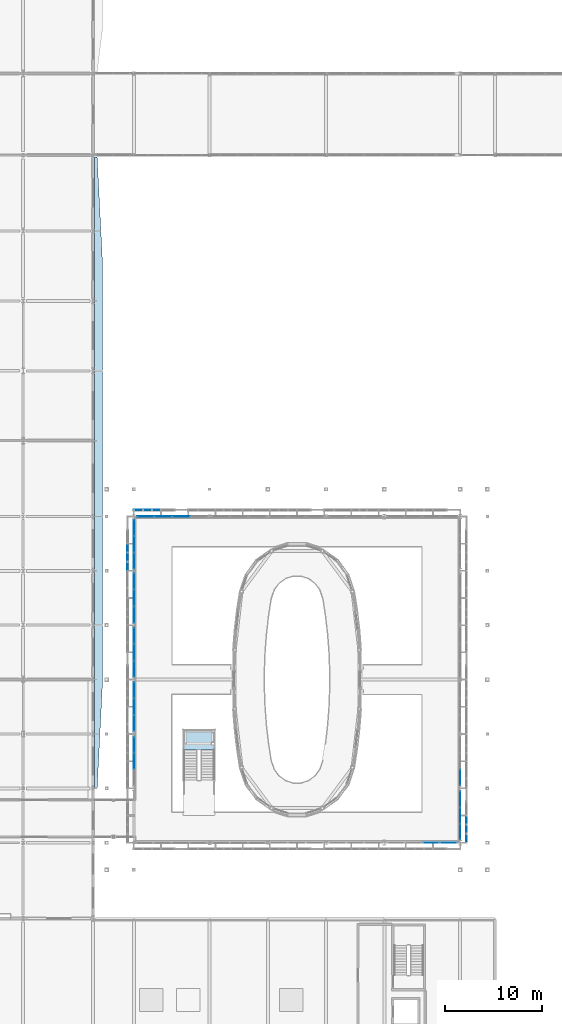
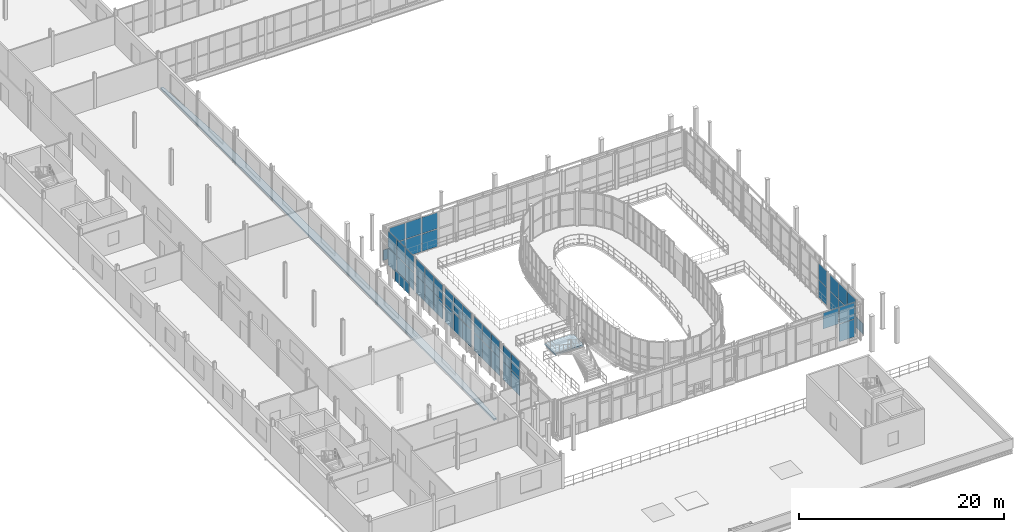
# One storey, part 97 of 138: 48 plates, 2 slabs, 10 elements without a shape of their own.
"""IFC4 building model written with IfcOpenShell, lengths in metres."""

from ifc_helpers import new_model, si_unit, direction, frame, origin, origin_2d, place, context, subcontext, project, spatial, polyline, rectangle, outline, extrude, material, layer, layer_set, type_object, element, aggregate, save


model = new_model("IFC4")

# Units and contexts
model_context = context("Model", 3, precision=1e-05, world=origin(), true_north=direction((0.0, 1.0)))
body_context = subcontext(model_context, "Body", "Model", "MODEL_VIEW")
ifc_project = project(units=[si_unit("LENGTHUNIT", "METRE"), si_unit("AREAUNIT", "SQUARE_METRE"), si_unit("VOLUMEUNIT", "CUBIC_METRE"), si_unit("PLANEANGLEUNIT", "RADIAN"), si_unit("MASSUNIT", "GRAM", prefix="KILO")], contexts=[model_context])

# Site, building, storey
site_placement = place(None, origin())
site = spatial("IfcSite", under=ifc_project, at=site_placement, CompositionType="ELEMENT")
building_placement = place(site_placement, origin())
building = spatial("IfcBuilding", under=site, at=building_placement, Name="Vinh Khe Railworks Police Headquarters", CompositionType="ELEMENT")
storey_placement = place(building_placement, frame((0.0, 0.0, 9.0)))
storey = spatial("IfcBuildingStorey", under=building, at=storey_placement, Name="L02", CompositionType="ELEMENT", Elevation=9.0)

# Slab
ifc_material_1 = material(Name="Concrete C35/45 (B35)", Category="concrete")
ifc_layer_1 = layer(ifc_material_1, 0.199951171875)
ifc_layer_set_1 = layer_set([ifc_layer_1], Name="Concrete C35/45 (B35)")
slab_type_1 = type_object("IfcSlabType", Name="Flat Structural Roof Slab 200", PredefinedType="ROOF", material=ifc_layer_set_1)
slab_1_placement = place(storey_placement, frame((0.0, 0.0, -0.239990234375)))
element("IfcSlab", 1, at=slab_1_placement, inside=storey, type_object=slab_type_1, Name="Monsoon Window Eyebrow Hood V5E (L02)", PredefinedType="ROOF", context=body_context, shape_type="SweptSolid", body=[
    extrude(outline(polyline([(22.340087890625, 30.800048828125), (22.62353515625, 30.800048828125), (23.14990234375, 41.199951171875), (23.14990234375, 85.39990234375), (22.62353515625, 95.800048828125), (22.340087890625, 95.800048828125), (22.340087890625, 30.800048828125)])), origin(), (0.0, 0.0, 1.0), 0.199951171875),
])

# Curtain wall, plates
ifc_material_2 = material(Name="Anodised aluminium and low-iron glass", Category="aluminium")
ifc_layer_2 = layer(ifc_material_2, 0.179931640625)
ifc_layer_set_2 = layer_set([ifc_layer_2], Name="Anodised aluminium and low-iron glass")
curtain_wall_type = type_object("IfcCurtainWallType", Name="CW-CUBE-UNIT", PredefinedType="USERDEFINED", material=ifc_layer_set_2)
curtain_wall_1_placement = place(storey_placement, origin())
curtain_wall_1 = element("IfcCurtainWall", 2, at=curtain_wall_1_placement, inside=storey, type_object=curtain_wall_type, Name="Entrance Hall Curtain Wall L02 S-5", ObjectType="UNITISED GLAZING", PredefinedType="USERDEFINED")
ifc_material_3 = material(Name="Low-iron laminated solar-control glass", Category="glass")
ifc_layer_3 = layer(ifc_material_3, 0.028076171875)
ifc_layer_set_3 = layer_set([ifc_layer_3], Name="Low-iron laminated solar-control glass")
plate_type_1 = type_object("IfcPlateType", Name="PAN-GLZ-28", PredefinedType="CURTAIN_PANEL", material=ifc_layer_set_3)
plate_1_placement = place(storey_placement, frame((57.0087890625, 25.199951171875, 2.21923828125), z_axis=(0.0, 0.0, 1.0), x_axis=(1.0, 0.0, 0.0)))
plate_1 = element("IfcPlate", 3, at=plate_1_placement, type_object=plate_type_1, Name="CW-01 panel 3.2", PredefinedType="CURTAIN_PANEL", context=body_context, shape_type="SweptSolid", body=[
    extrude(rectangle(XDim=1.74755859375, YDim=0.028076171875, at=origin_2d()), origin(), (0.0, 0.0, 1.0), 1.910888671875),
])
plate_2_placement = place(storey_placement, frame((58.808837890625, 25.199951171875, 0.070068359375), z_axis=(0.0, 0.0, 1.0), x_axis=(1.0, 0.0, 0.0)))
plate_2 = element("IfcPlate", 4, at=plate_2_placement, type_object=plate_type_1, Name="CW-01 panel 4.1", PredefinedType="CURTAIN_PANEL", context=body_context, shape_type="SweptSolid", body=[
    extrude(rectangle(XDim=1.71240234375, YDim=0.028076171875, at=origin_2d()), origin(), (0.0, 0.0, 1.0), 2.0791015625),
])
plate_3_placement = place(storey_placement, frame((58.808837890625, 25.199951171875, 2.21923828125), z_axis=(0.0, 0.0, 1.0), x_axis=(1.0, 0.0, 0.0)))
plate_3 = element("IfcPlate", 5, at=plate_3_placement, type_object=plate_type_1, Name="CW-01 panel 4.2", PredefinedType="CURTAIN_PANEL", context=body_context, shape_type="SweptSolid", body=[
    extrude(rectangle(XDim=1.71240234375, YDim=0.028076171875, at=origin_2d()), origin(), (0.0, 0.0, 1.0), 1.910888671875),
])
aggregate(curtain_wall_1, [plate_1, plate_2, plate_3])

curtain_wall_2_placement = place(storey_placement, origin())
curtain_wall_2 = element("IfcCurtainWall", 6, at=curtain_wall_2_placement, inside=storey, type_object=curtain_wall_type, Name="Entrance Hall Curtain Wall L02 N-1", ObjectType="UNITISED GLAZING", PredefinedType="USERDEFINED")
plate_4_placement = place(storey_placement, frame((27.60302734375, 58.800048828125, 0.070068359375), z_axis=(0.0, 0.0, 1.0), x_axis=(1.0, 0.0, 0.0)))
plate_4 = element("IfcPlate", 7, at=plate_4_placement, type_object=plate_type_1, Name="CW-01 panel 1.1", PredefinedType="CURTAIN_PANEL", context=body_context, shape_type="SweptSolid", body=[
    extrude(rectangle(XDim=1.736328125, YDim=0.028076171875, at=origin_2d()), origin(), (0.0, 0.0, 1.0), 2.0791015625),
])
plate_5_placement = place(storey_placement, frame((27.60302734375, 58.800048828125, 2.21923828125), z_axis=(0.0, 0.0, 1.0), x_axis=(1.0, 0.0, 0.0)))
plate_5 = element("IfcPlate", 8, at=plate_5_placement, type_object=plate_type_1, Name="CW-01 panel 1.2", PredefinedType="CURTAIN_PANEL", context=body_context, shape_type="SweptSolid", body=[
    extrude(rectangle(XDim=1.736328125, YDim=0.028076171875, at=origin_2d()), origin(), (0.0, 0.0, 1.0), 1.910888671875),
])
plate_6_placement = place(storey_placement, frame((29.4267578125, 58.800048828125, 0.070068359375), z_axis=(0.0, 0.0, 1.0), x_axis=(1.0, 0.0, 0.0)))
plate_6 = element("IfcPlate", 9, at=plate_6_placement, type_object=plate_type_1, Name="CW-01 panel 2.1", PredefinedType="CURTAIN_PANEL", context=body_context, shape_type="SweptSolid", body=[
    extrude(rectangle(XDim=1.771240234375, YDim=0.028076171875, at=origin_2d()), origin(), (0.0, 0.0, 1.0), 2.0791015625),
])
plate_7_placement = place(storey_placement, frame((29.4267578125, 58.800048828125, 2.21923828125), z_axis=(0.0, 0.0, 1.0), x_axis=(1.0, 0.0, 0.0)))
plate_7 = element("IfcPlate", 10, at=plate_7_placement, type_object=plate_type_1, Name="CW-01 panel 2.2", PredefinedType="CURTAIN_PANEL", context=body_context, shape_type="SweptSolid", body=[
    extrude(rectangle(XDim=1.771240234375, YDim=0.028076171875, at=origin_2d()), origin(), (0.0, 0.0, 1.0), 1.910888671875),
])
plate_8_placement = place(storey_placement, frame((31.26806640625, 58.800048828125, 0.070068359375), z_axis=(0.0, 0.0, 1.0), x_axis=(1.0, 0.0, 0.0)))
plate_8 = element("IfcPlate", 11, at=plate_8_placement, type_object=plate_type_1, Name="CW-01 panel 3.1", PredefinedType="CURTAIN_PANEL", context=body_context, shape_type="SweptSolid", body=[
    extrude(rectangle(XDim=1.771240234375, YDim=0.028076171875, at=origin_2d()), origin(), (0.0, 0.0, 1.0), 2.0791015625),
])
plate_9_placement = place(storey_placement, frame((31.26806640625, 58.800048828125, 2.21923828125), z_axis=(0.0, 0.0, 1.0), x_axis=(1.0, 0.0, 0.0)))
plate_9 = element("IfcPlate", 12, at=plate_9_placement, type_object=plate_type_1, Name="CW-01 panel 3.2", PredefinedType="CURTAIN_PANEL", context=body_context, shape_type="SweptSolid", body=[
    extrude(rectangle(XDim=1.771240234375, YDim=0.028076171875, at=origin_2d()), origin(), (0.0, 0.0, 1.0), 1.910888671875),
])
aggregate(curtain_wall_2, [plate_4, plate_5, plate_6, plate_7, plate_8, plate_9])

curtain_wall_3_placement = place(storey_placement, origin())
curtain_wall_3 = element("IfcCurtainWall", 13, at=curtain_wall_3_placement, inside=storey, type_object=curtain_wall_type, Name="Entrance Hall Curtain Wall L02 E-1", ObjectType="UNITISED GLAZING", PredefinedType="USERDEFINED")
plate_10_placement = place(storey_placement, frame((60.0, 26.331787109375, 0.070068359375), z_axis=(0.0, 0.0, 1.0), x_axis=(0.0, 1.0, 0.0)))
plate_10 = element("IfcPlate", 14, at=plate_10_placement, type_object=plate_type_1, Name="CW-01 panel 1.1", PredefinedType="CURTAIN_PANEL", context=body_context, shape_type="SweptSolid", body=[
    extrude(rectangle(XDim=1.59326171875, YDim=0.028076171875, at=origin_2d()), origin(), (0.0, 0.0, 1.0), 2.0791015625),
])
plate_11_placement = place(storey_placement, frame((60.0, 26.331787109375, 2.21923828125), z_axis=(0.0, 0.0, 1.0), x_axis=(0.0, 1.0, 0.0)))
plate_11 = element("IfcPlate", 15, at=plate_11_placement, type_object=plate_type_1, Name="CW-01 panel 1.2", PredefinedType="CURTAIN_PANEL", context=body_context, shape_type="SweptSolid", body=[
    extrude(rectangle(XDim=1.59326171875, YDim=0.028076171875, at=origin_2d()), origin(), (0.0, 0.0, 1.0), 1.910888671875),
])
plate_12_placement = place(storey_placement, frame((60.0, 28.012451171875, 0.070068359375), z_axis=(0.0, 0.0, 1.0), x_axis=(0.0, 1.0, 0.0)))
plate_12 = element("IfcPlate", 16, at=plate_12_placement, type_object=plate_type_1, Name="CW-01 panel 2.1", PredefinedType="CURTAIN_PANEL", context=body_context, shape_type="SweptSolid", body=[
    extrude(rectangle(XDim=1.62841796875, YDim=0.028076171875, at=origin_2d()), origin(), (0.0, 0.0, 1.0), 2.0791015625),
])
plate_13_placement = place(storey_placement, frame((60.0, 28.012451171875, 2.21923828125), z_axis=(0.0, 0.0, 1.0), x_axis=(0.0, 1.0, 0.0)))
plate_13 = element("IfcPlate", 17, at=plate_13_placement, type_object=plate_type_1, Name="CW-01 panel 2.2", PredefinedType="CURTAIN_PANEL", context=body_context, shape_type="SweptSolid", body=[
    extrude(rectangle(XDim=1.62841796875, YDim=0.028076171875, at=origin_2d()), origin(), (0.0, 0.0, 1.0), 1.910888671875),
])
plate_14_placement = place(storey_placement, frame((60.0, 29.693359375, 0.070068359375), z_axis=(0.0, 0.0, 1.0), x_axis=(0.0, 1.0, 0.0)))
plate_14 = element("IfcPlate", 18, at=plate_14_placement, type_object=plate_type_1, Name="CW-01 panel 3.1", PredefinedType="CURTAIN_PANEL", context=body_context, shape_type="SweptSolid", body=[
    extrude(rectangle(XDim=1.59326171875, YDim=0.028076171875, at=origin_2d()), origin(), (0.0, 0.0, 1.0), 2.0791015625),
])
plate_15_placement = place(storey_placement, frame((60.0, 29.693359375, 2.21923828125), z_axis=(0.0, 0.0, 1.0), x_axis=(0.0, 1.0, 0.0)))
plate_15 = element("IfcPlate", 19, at=plate_15_placement, type_object=plate_type_1, Name="CW-01 panel 3.2", PredefinedType="CURTAIN_PANEL", context=body_context, shape_type="SweptSolid", body=[
    extrude(rectangle(XDim=1.59326171875, YDim=0.028076171875, at=origin_2d()), origin(), (0.0, 0.0, 1.0), 1.910888671875),
])
aggregate(curtain_wall_3, [plate_10, plate_11, plate_12, plate_13, plate_14, plate_15])

curtain_wall_4_placement = place(storey_placement, origin())
curtain_wall_4 = element("IfcCurtainWall", 20, at=curtain_wall_4_placement, inside=storey, type_object=curtain_wall_type, Name="Entrance Hall Curtain Wall L02 E-2", ObjectType="UNITISED GLAZING", PredefinedType="USERDEFINED")
plate_16_placement = place(storey_placement, frame((60.0, 31.9150390625, 0.070068359375), z_axis=(0.0, 0.0, 1.0), x_axis=(0.0, 1.0, 0.0)))
plate_16 = element("IfcPlate", 21, at=plate_16_placement, type_object=plate_type_1, Name="CW-01 panel 1.1", PredefinedType="CURTAIN_PANEL", context=body_context, shape_type="SweptSolid", body=[
    extrude(rectangle(XDim=1.610107421875, YDim=0.028076171875, at=origin_2d()), origin(), (0.0, 0.0, 1.0), 2.0791015625),
])
plate_17_placement = place(storey_placement, frame((60.0, 31.9150390625, 2.21923828125), z_axis=(0.0, 0.0, 1.0), x_axis=(0.0, 1.0, 0.0)))
plate_17 = element("IfcPlate", 22, at=plate_17_placement, type_object=plate_type_1, Name="CW-01 panel 1.2", PredefinedType="CURTAIN_PANEL", context=body_context, shape_type="SweptSolid", body=[
    extrude(rectangle(XDim=1.610107421875, YDim=0.028076171875, at=origin_2d()), origin(), (0.0, 0.0, 1.0), 1.910888671875),
])
aggregate(curtain_wall_4, [plate_16, plate_17])

curtain_wall_5_placement = place(storey_placement, origin())
curtain_wall_5 = element("IfcCurtainWall", 23, at=curtain_wall_5_placement, inside=storey, type_object=curtain_wall_type, Name="Entrance Hall Curtain Wall L02 W-2", ObjectType="UNITISED GLAZING", PredefinedType="USERDEFINED")
plate_18_placement = place(storey_placement, frame((26.39990234375, 33.612548828125, 0.070068359375), z_axis=(0.0, 0.0, 1.0), x_axis=(0.0, 1.0, 0.0)))
plate_18 = element("IfcPlate", 24, at=plate_18_placement, type_object=plate_type_1, Name="CW-01 panel 2.1", PredefinedType="CURTAIN_PANEL", context=body_context, shape_type="SweptSolid", body=[
    extrude(rectangle(XDim=1.62841796875, YDim=0.028076171875, at=origin_2d()), origin(), (0.0, 0.0, 1.0), 2.0791015625),
])
plate_19_placement = place(storey_placement, frame((26.39990234375, 33.612548828125, 2.21923828125), z_axis=(0.0, 0.0, 1.0), x_axis=(0.0, 1.0, 0.0)))
plate_19 = element("IfcPlate", 25, at=plate_19_placement, type_object=plate_type_1, Name="CW-01 panel 2.2", PredefinedType="CURTAIN_PANEL", context=body_context, shape_type="SweptSolid", body=[
    extrude(rectangle(XDim=1.62841796875, YDim=0.028076171875, at=origin_2d()), origin(), (0.0, 0.0, 1.0), 1.910888671875),
])
plate_20_placement = place(storey_placement, frame((26.39990234375, 35.293212890625, 0.070068359375), z_axis=(0.0, 0.0, 1.0), x_axis=(0.0, 1.0, 0.0)))
plate_20 = element("IfcPlate", 26, at=plate_20_placement, type_object=plate_type_1, Name="CW-01 panel 3.1", PredefinedType="CURTAIN_PANEL", context=body_context, shape_type="SweptSolid", body=[
    extrude(rectangle(XDim=1.59326171875, YDim=0.028076171875, at=origin_2d()), origin(), (0.0, 0.0, 1.0), 2.0791015625),
])
plate_21_placement = place(storey_placement, frame((26.39990234375, 35.293212890625, 2.21923828125), z_axis=(0.0, 0.0, 1.0), x_axis=(0.0, 1.0, 0.0)))
plate_21 = element("IfcPlate", 27, at=plate_21_placement, type_object=plate_type_1, Name="CW-01 panel 3.2", PredefinedType="CURTAIN_PANEL", context=body_context, shape_type="SweptSolid", body=[
    extrude(rectangle(XDim=1.59326171875, YDim=0.028076171875, at=origin_2d()), origin(), (0.0, 0.0, 1.0), 1.910888671875),
])
aggregate(curtain_wall_5, [plate_18, plate_19, plate_20, plate_21])

curtain_wall_6_placement = place(storey_placement, origin())
curtain_wall_6 = element("IfcCurtainWall", 28, at=curtain_wall_6_placement, inside=storey, type_object=curtain_wall_type, Name="Entrance Hall Curtain Wall L02 W-3", ObjectType="UNITISED GLAZING", PredefinedType="USERDEFINED")
plate_22_placement = place(storey_placement, frame((26.39990234375, 37.514892578125, 0.070068359375), z_axis=(0.0, 0.0, 1.0), x_axis=(0.0, 1.0, 0.0)))
plate_22 = element("IfcPlate", 29, at=plate_22_placement, type_object=plate_type_1, Name="CW-01 panel 1.1", PredefinedType="CURTAIN_PANEL", context=body_context, shape_type="SweptSolid", body=[
    extrude(rectangle(XDim=1.610107421875, YDim=0.028076171875, at=origin_2d()), origin(), (0.0, 0.0, 1.0), 2.0791015625),
])
plate_23_placement = place(storey_placement, frame((26.39990234375, 37.514892578125, 2.21923828125), z_axis=(0.0, 0.0, 1.0), x_axis=(0.0, 1.0, 0.0)))
plate_23 = element("IfcPlate", 30, at=plate_23_placement, type_object=plate_type_1, Name="CW-01 panel 1.2", PredefinedType="CURTAIN_PANEL", context=body_context, shape_type="SweptSolid", body=[
    extrude(rectangle(XDim=1.610107421875, YDim=0.028076171875, at=origin_2d()), origin(), (0.0, 0.0, 1.0), 1.910888671875),
])
plate_24_placement = place(storey_placement, frame((26.39990234375, 39.21240234375, 0.070068359375), z_axis=(0.0, 0.0, 1.0), x_axis=(0.0, 1.0, 0.0)))
plate_24 = element("IfcPlate", 31, at=plate_24_placement, type_object=plate_type_1, Name="CW-01 panel 2.1", PredefinedType="CURTAIN_PANEL", context=body_context, shape_type="SweptSolid", body=[
    extrude(rectangle(XDim=1.64501953125, YDim=0.028076171875, at=origin_2d()), origin(), (0.0, 0.0, 1.0), 2.0791015625),
])
plate_25_placement = place(storey_placement, frame((26.39990234375, 39.21240234375, 2.21923828125), z_axis=(0.0, 0.0, 1.0), x_axis=(0.0, 1.0, 0.0)))
plate_25 = element("IfcPlate", 32, at=plate_25_placement, type_object=plate_type_1, Name="CW-01 panel 2.2", PredefinedType="CURTAIN_PANEL", context=body_context, shape_type="SweptSolid", body=[
    extrude(rectangle(XDim=1.64501953125, YDim=0.028076171875, at=origin_2d()), origin(), (0.0, 0.0, 1.0), 1.910888671875),
])
plate_26_placement = place(storey_placement, frame((26.39990234375, 40.909912109375, 0.070068359375), z_axis=(0.0, 0.0, 1.0), x_axis=(0.0, 1.0, 0.0)))
plate_26 = element("IfcPlate", 33, at=plate_26_placement, type_object=plate_type_1, Name="CW-01 panel 3.1", PredefinedType="CURTAIN_PANEL", context=body_context, shape_type="SweptSolid", body=[
    extrude(rectangle(XDim=1.610107421875, YDim=0.028076171875, at=origin_2d()), origin(), (0.0, 0.0, 1.0), 2.0791015625),
])
plate_27_placement = place(storey_placement, frame((26.39990234375, 40.909912109375, 2.21923828125), z_axis=(0.0, 0.0, 1.0), x_axis=(0.0, 1.0, 0.0)))
plate_27 = element("IfcPlate", 34, at=plate_27_placement, type_object=plate_type_1, Name="CW-01 panel 3.2", PredefinedType="CURTAIN_PANEL", context=body_context, shape_type="SweptSolid", body=[
    extrude(rectangle(XDim=1.610107421875, YDim=0.028076171875, at=origin_2d()), origin(), (0.0, 0.0, 1.0), 1.910888671875),
])
aggregate(curtain_wall_6, [plate_22, plate_23, plate_24, plate_25, plate_26, plate_27])

curtain_wall_7_placement = place(storey_placement, origin())
curtain_wall_7 = element("IfcCurtainWall", 35, at=curtain_wall_7_placement, inside=storey, type_object=curtain_wall_type, Name="Entrance Hall Curtain Wall L02 W-4", ObjectType="UNITISED GLAZING", PredefinedType="USERDEFINED")
plate_28_placement = place(storey_placement, frame((26.39990234375, 43.1015625, 0.070068359375), z_axis=(0.0, 0.0, 1.0), x_axis=(0.0, 1.0, 0.0)))
plate_28 = element("IfcPlate", 36, at=plate_28_placement, type_object=plate_type_1, Name="CW-01 panel 1.1", PredefinedType="CURTAIN_PANEL", context=body_context, shape_type="SweptSolid", body=[
    extrude(rectangle(XDim=1.63330078125, YDim=0.028076171875, at=origin_2d()), origin(), (0.0, 0.0, 1.0), 2.0791015625),
])
plate_29_placement = place(storey_placement, frame((26.39990234375, 43.1015625, 2.21923828125), z_axis=(0.0, 0.0, 1.0), x_axis=(0.0, 1.0, 0.0)))
plate_29 = element("IfcPlate", 37, at=plate_29_placement, type_object=plate_type_1, Name="CW-01 panel 1.2", PredefinedType="CURTAIN_PANEL", context=body_context, shape_type="SweptSolid", body=[
    extrude(rectangle(XDim=1.63330078125, YDim=0.028076171875, at=origin_2d()), origin(), (0.0, 0.0, 1.0), 1.910888671875),
])
plate_30_placement = place(storey_placement, frame((26.39990234375, 44.822509765625, 0.070068359375), z_axis=(0.0, 0.0, 1.0), x_axis=(0.0, 1.0, 0.0)))
plate_30 = element("IfcPlate", 38, at=plate_30_placement, type_object=plate_type_1, Name="CW-01 panel 2.1", PredefinedType="CURTAIN_PANEL", context=body_context, shape_type="SweptSolid", body=[
    extrude(rectangle(XDim=1.668212890625, YDim=0.028076171875, at=origin_2d()), origin(), (0.0, 0.0, 1.0), 2.0791015625),
])
plate_31_placement = place(storey_placement, frame((26.39990234375, 44.822509765625, 2.21923828125), z_axis=(0.0, 0.0, 1.0), x_axis=(0.0, 1.0, 0.0)))
plate_31 = element("IfcPlate", 39, at=plate_31_placement, type_object=plate_type_1, Name="CW-01 panel 2.2", PredefinedType="CURTAIN_PANEL", context=body_context, shape_type="SweptSolid", body=[
    extrude(rectangle(XDim=1.668212890625, YDim=0.028076171875, at=origin_2d()), origin(), (0.0, 0.0, 1.0), 1.910888671875),
])
plate_32_placement = place(storey_placement, frame((26.39990234375, 46.543212890625, 0.070068359375), z_axis=(0.0, 0.0, 1.0), x_axis=(0.0, 1.0, 0.0)))
plate_32 = element("IfcPlate", 40, at=plate_32_placement, type_object=plate_type_1, Name="CW-01 panel 3.1", PredefinedType="CURTAIN_PANEL", context=body_context, shape_type="SweptSolid", body=[
    extrude(rectangle(XDim=1.63330078125, YDim=0.028076171875, at=origin_2d()), origin(), (0.0, 0.0, 1.0), 2.0791015625),
])
plate_33_placement = place(storey_placement, frame((26.39990234375, 46.543212890625, 2.21923828125), z_axis=(0.0, 0.0, 1.0), x_axis=(0.0, 1.0, 0.0)))
plate_33 = element("IfcPlate", 41, at=plate_33_placement, type_object=plate_type_1, Name="CW-01 panel 3.2", PredefinedType="CURTAIN_PANEL", context=body_context, shape_type="SweptSolid", body=[
    extrude(rectangle(XDim=1.63330078125, YDim=0.028076171875, at=origin_2d()), origin(), (0.0, 0.0, 1.0), 1.910888671875),
])
aggregate(curtain_wall_7, [plate_28, plate_29, plate_30, plate_31, plate_32, plate_33])

curtain_wall_8_placement = place(storey_placement, origin())
curtain_wall_8 = element("IfcCurtainWall", 42, at=curtain_wall_8_placement, inside=storey, type_object=curtain_wall_type, Name="Entrance Hall Curtain Wall L02 W-5", ObjectType="UNITISED GLAZING", PredefinedType="USERDEFINED")
plate_34_placement = place(storey_placement, frame((26.39990234375, 48.66748046875, 0.070068359375), z_axis=(0.0, 0.0, 1.0), x_axis=(0.0, 1.0, 0.0)))
plate_34 = element("IfcPlate", 43, at=plate_34_placement, type_object=plate_type_1, Name="CW-01 panel 1.1", PredefinedType="CURTAIN_PANEL", context=body_context, shape_type="SweptSolid", body=[
    extrude(rectangle(XDim=1.655029296875, YDim=0.028076171875, at=origin_2d()), origin(), (0.0, 0.0, 1.0), 2.0791015625),
])
plate_35_placement = place(storey_placement, frame((26.39990234375, 48.66748046875, 2.21923828125), z_axis=(0.0, 0.0, 1.0), x_axis=(0.0, 1.0, 0.0)))
plate_35 = element("IfcPlate", 44, at=plate_35_placement, type_object=plate_type_1, Name="CW-01 panel 1.2", PredefinedType="CURTAIN_PANEL", context=body_context, shape_type="SweptSolid", body=[
    extrude(rectangle(XDim=1.655029296875, YDim=0.028076171875, at=origin_2d()), origin(), (0.0, 0.0, 1.0), 1.910888671875),
])
plate_36_placement = place(storey_placement, frame((26.39990234375, 50.409912109375, 0.070068359375), z_axis=(0.0, 0.0, 1.0), x_axis=(0.0, 1.0, 0.0)))
plate_36 = element("IfcPlate", 45, at=plate_36_placement, type_object=plate_type_1, Name="CW-01 panel 2.1", PredefinedType="CURTAIN_PANEL", context=body_context, shape_type="SweptSolid", body=[
    extrude(rectangle(XDim=1.68994140625, YDim=0.028076171875, at=origin_2d()), origin(), (0.0, 0.0, 1.0), 2.0791015625),
])
plate_37_placement = place(storey_placement, frame((26.39990234375, 50.409912109375, 2.21923828125), z_axis=(0.0, 0.0, 1.0), x_axis=(0.0, 1.0, 0.0)))
plate_37 = element("IfcPlate", 46, at=plate_37_placement, type_object=plate_type_1, Name="CW-01 panel 2.2", PredefinedType="CURTAIN_PANEL", context=body_context, shape_type="SweptSolid", body=[
    extrude(rectangle(XDim=1.68994140625, YDim=0.028076171875, at=origin_2d()), origin(), (0.0, 0.0, 1.0), 1.910888671875),
])
plate_38_placement = place(storey_placement, frame((26.39990234375, 52.152587890625, 0.070068359375), z_axis=(0.0, 0.0, 1.0), x_axis=(0.0, 1.0, 0.0)))
plate_38 = element("IfcPlate", 47, at=plate_38_placement, type_object=plate_type_1, Name="CW-01 panel 3.1", PredefinedType="CURTAIN_PANEL", context=body_context, shape_type="SweptSolid", body=[
    extrude(rectangle(XDim=1.655029296875, YDim=0.028076171875, at=origin_2d()), origin(), (0.0, 0.0, 1.0), 2.0791015625),
])
plate_39_placement = place(storey_placement, frame((26.39990234375, 52.152587890625, 2.21923828125), z_axis=(0.0, 0.0, 1.0), x_axis=(0.0, 1.0, 0.0)))
plate_39 = element("IfcPlate", 48, at=plate_39_placement, type_object=plate_type_1, Name="CW-01 panel 3.2", PredefinedType="CURTAIN_PANEL", context=body_context, shape_type="SweptSolid", body=[
    extrude(rectangle(XDim=1.655029296875, YDim=0.028076171875, at=origin_2d()), origin(), (0.0, 0.0, 1.0), 1.910888671875),
])
aggregate(curtain_wall_8, [plate_34, plate_35, plate_36, plate_37, plate_38, plate_39])

curtain_wall_9_placement = place(storey_placement, origin())
curtain_wall_9 = element("IfcCurtainWall", 49, at=curtain_wall_9_placement, inside=storey, type_object=curtain_wall_type, Name="Entrance Hall Curtain Wall L02 W-6", ObjectType="UNITISED GLAZING", PredefinedType="USERDEFINED")
plate_40_placement = place(storey_placement, frame((26.39990234375, 54.231689453125, 0.070068359375), z_axis=(0.0, 0.0, 1.0), x_axis=(0.0, 1.0, 0.0)))
plate_40 = element("IfcPlate", 50, at=plate_40_placement, type_object=plate_type_1, Name="CW-01 panel 1.1", PredefinedType="CURTAIN_PANEL", context=body_context, shape_type="SweptSolid", body=[
    extrude(rectangle(XDim=1.623291015625, YDim=0.028076171875, at=origin_2d()), origin(), (0.0, 0.0, 1.0), 2.0791015625),
])
plate_41_placement = place(storey_placement, frame((26.39990234375, 54.231689453125, 2.21923828125), z_axis=(0.0, 0.0, 1.0), x_axis=(0.0, 1.0, 0.0)))
plate_41 = element("IfcPlate", 51, at=plate_41_placement, type_object=plate_type_1, Name="CW-01 panel 1.2", PredefinedType="CURTAIN_PANEL", context=body_context, shape_type="SweptSolid", body=[
    extrude(rectangle(XDim=1.623291015625, YDim=0.028076171875, at=origin_2d()), origin(), (0.0, 0.0, 1.0), 1.910888671875),
])
plate_42_placement = place(storey_placement, frame((26.39990234375, 55.9423828125, 0.070068359375), z_axis=(0.0, 0.0, 1.0), x_axis=(0.0, 1.0, 0.0)))
plate_42 = element("IfcPlate", 52, at=plate_42_placement, type_object=plate_type_1, Name="CW-01 panel 2.1", PredefinedType="CURTAIN_PANEL", context=body_context, shape_type="SweptSolid", body=[
    extrude(rectangle(XDim=1.658447265625, YDim=0.028076171875, at=origin_2d()), origin(), (0.0, 0.0, 1.0), 2.0791015625),
])
plate_43_placement = place(storey_placement, frame((26.39990234375, 55.9423828125, 2.21923828125), z_axis=(0.0, 0.0, 1.0), x_axis=(0.0, 1.0, 0.0)))
plate_43 = element("IfcPlate", 53, at=plate_43_placement, type_object=plate_type_1, Name="CW-01 panel 2.2", PredefinedType="CURTAIN_PANEL", context=body_context, shape_type="SweptSolid", body=[
    extrude(rectangle(XDim=1.658447265625, YDim=0.028076171875, at=origin_2d()), origin(), (0.0, 0.0, 1.0), 1.910888671875),
])
plate_44_placement = place(storey_placement, frame((26.39990234375, 57.6533203125, 0.070068359375), z_axis=(0.0, 0.0, 1.0), x_axis=(0.0, 1.0, 0.0)))
plate_44 = element("IfcPlate", 54, at=plate_44_placement, type_object=plate_type_1, Name="CW-01 panel 3.1", PredefinedType="CURTAIN_PANEL", context=body_context, shape_type="SweptSolid", body=[
    extrude(rectangle(XDim=1.623291015625, YDim=0.028076171875, at=origin_2d()), origin(), (0.0, 0.0, 1.0), 2.0791015625),
])
plate_45_placement = place(storey_placement, frame((26.39990234375, 57.6533203125, 2.21923828125), z_axis=(0.0, 0.0, 1.0), x_axis=(0.0, 1.0, 0.0)))
plate_45 = element("IfcPlate", 55, at=plate_45_placement, type_object=plate_type_1, Name="CW-01 panel 3.2", PredefinedType="CURTAIN_PANEL", context=body_context, shape_type="SweptSolid", body=[
    extrude(rectangle(XDim=1.623291015625, YDim=0.028076171875, at=origin_2d()), origin(), (0.0, 0.0, 1.0), 1.910888671875),
])
aggregate(curtain_wall_9, [plate_40, plate_41, plate_42, plate_43, plate_44, plate_45])

# Plates
ifc_material_4 = material(Name="Salvaged ironwood timber", Category="wood")
ifc_layer_4 = layer(ifc_material_4, 0.050048828125)
ifc_layer_set_4 = layer_set([ifc_layer_4], Name="Salvaged ironwood timber")
plate_type_2 = type_object("IfcPlateType", Name="PLT-QP-03", PredefinedType="SHEET", material=ifc_layer_set_4)
for number, where, z_axis, x_axis, name in (
    (56, (27.800048828125, 59.449951171875, 0.0), (0.0, 0.0, 1.0), (1.0, 0.0, 0.0), "Salvaged Ironwood Panelled Casement N-1"),
    (57, (60.64990234375, 26.60009765625, 0.0), (0.0, 0.0, 1.0), (0.0, 1.0, 0.0), "Salvaged Ironwood Panelled Casement E-1"),
    (58, (25.75, 54.60009765625, 0.0), (0.0, 0.0, 1.0), (0.0, 1.0, 0.0), "Salvaged Ironwood Panelled Casement W-11"),
):
    element("IfcPlate", number, at=place(storey_placement, frame(where, z_axis=z_axis, x_axis=x_axis)), inside=storey, type_object=plate_type_2, Name=name, PredefinedType="SHEET", context=body_context, shape_type="SweptSolid", body=[
        extrude(rectangle(XDim=2.800048828125, YDim=0.050048828125, at=origin_2d()), origin(), (0.0, 0.0, 1.0), 1.260009765625),
    ])

# Stair, slab
ifc_material_5 = material(Name="Steel S355JR", Category="steel")
stair_type = type_object("IfcStairType", Name="ST-HALL-FEATURE", PredefinedType="HALF_TURN_STAIR", material=ifc_material_5)
stair_placement = place(storey_placement, origin())
stair = element("IfcStair", 59, at=stair_placement, inside=storey, type_object=stair_type, Name="L02 Concourse Feature Stair ST-08", PredefinedType="HALF_TURN_STAIR")
ifc_layer_5 = layer(ifc_material_1, 0.199951171875)
ifc_layer_set_5 = layer_set([ifc_layer_5], Name="Concrete C35/45 (B35)")
slab_type_2 = type_object("IfcSlabType", Name="SLB-LAND-200", PredefinedType="LANDING", material=ifc_layer_set_5)
slab_2_placement = place(storey_placement, frame((0.0, 0.0, 1.89990234375)))
slab_2 = element("IfcSlab", 60, at=slab_2_placement, type_object=slab_type_2, Name="ST-08 landing 1", PredefinedType="LANDING", context=body_context, shape_type="SweptSolid", body=[
    extrude(outline(polyline([(34.699951171875, 34.72998046875), (34.699951171875, 36.800048828125), (31.5, 36.800048828125), (31.5, 34.72998046875), (34.699951171875, 34.72998046875)])), origin(), (0.0, 0.0, 1.0), 0.2001953125),
])
aggregate(stair, [slab_2])

save(model, "model.ifc")
